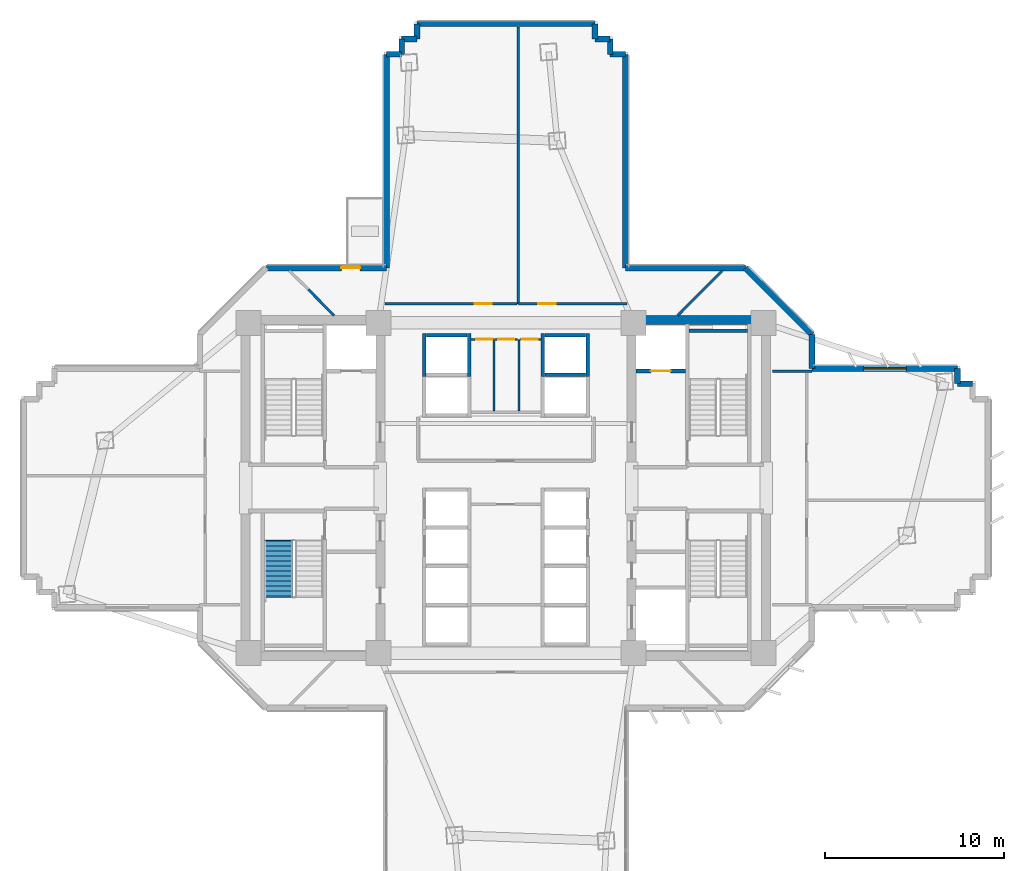
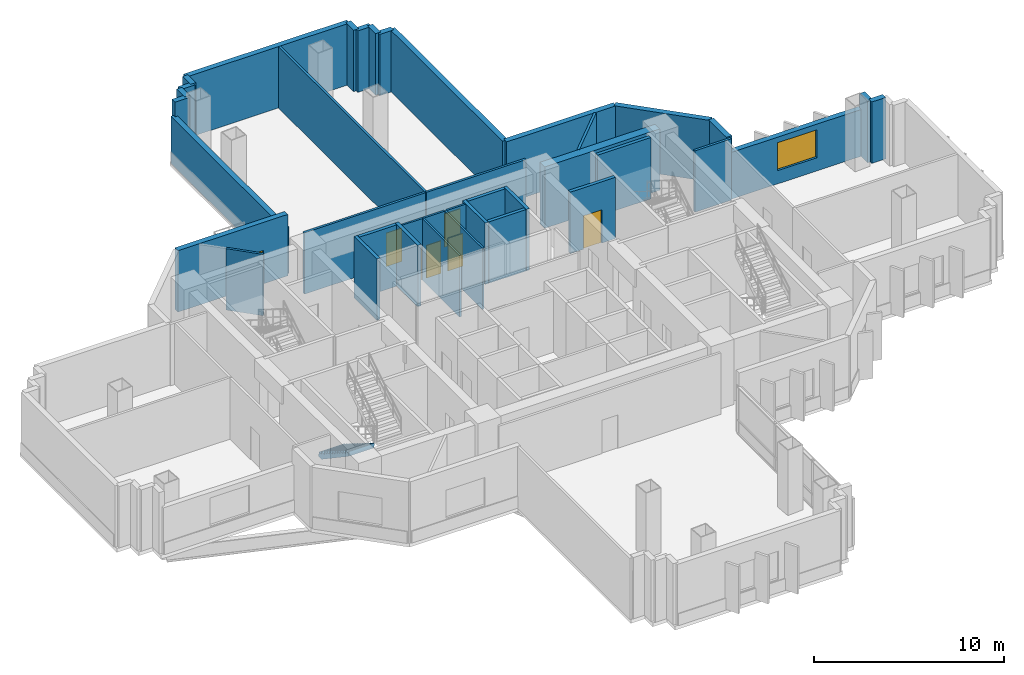
# One storey, part 8 of 14: 39 walls, 7 doors, 1 stair flight, 1 window, 8 openings, 1 element without a shape of its own.
"""IFC4 building model written with IfcOpenShell, lengths in metres."""

from ifc_helpers import new_model, si_unit, direction, frame, frame_2d, origin, place, context, subcontext, project, spatial, polyline, rectangle, outline, extrude, source, transform, mapped, material, layer, layer_set, type_object, element, fill, aggregate, save


model = new_model("IFC4")

# Units and contexts
model_context = context("Model", 3, precision=1e-05, world=origin(), true_north=direction((0.0, 1.0)))
body_context = subcontext(model_context, "Body", "Model", "MODEL_VIEW")
ifc_project = project(units=[si_unit("LENGTHUNIT", "METRE"), si_unit("AREAUNIT", "SQUARE_METRE"), si_unit("VOLUMEUNIT", "CUBIC_METRE"), si_unit("PLANEANGLEUNIT", "RADIAN"), si_unit("MASSUNIT", "GRAM", prefix="KILO")], contexts=[model_context])

# Site, building, storey
site_placement = place(None, origin())
site = spatial("IfcSite", under=ifc_project, at=site_placement, CompositionType="ELEMENT")
building_placement = place(site_placement, origin())
building = spatial("IfcBuilding", under=site, at=building_placement, Name="Zahravan Cultural Tower", CompositionType="ELEMENT")
storey_placement = place(building_placement, frame((0.0, 0.0, 33.300048828125)))
storey = spatial("IfcBuildingStorey", under=building, at=storey_placement, Name="L06", CompositionType="ELEMENT", Elevation=33.300048828125)

# Wall, opening, window
ifc_material_1 = material(Name="Precast concrete C40/50", Category="concrete")
ifc_layer_1 = layer(ifc_material_1, 0.320068359375)
ifc_layer_set_1 = layer_set([ifc_layer_1], Name="Precast concrete C40/50")
wall_type_1 = type_object("IfcWallType", Name="EW-TC-320", PredefinedType="SOLIDWALL", material=ifc_layer_set_1)
wall_1_placement = place(storey_placement, frame((53.06005859375, 33.659912109375, 0.0), z_axis=(0.0, 0.0, 1.0), x_axis=(1.0, 0.0, 0.0)))
wall_1 = element("IfcWall", 1, at=wall_1_placement, inside=storey, type_object=wall_type_1, Name="L06 Exterior Masonry Frame Wall 01", PredefinedType="SOLIDWALL", context=body_context, shape_type="SweptSolid", body=[
    extrude(rectangle(XDim=8.099853515625, YDim=0.320068359375, at=frame_2d((4.0498046875, 0.0))), origin(), (0.0, 0.0, 1.0), 3.010009765625),
])
opening_1_placement = place(wall_1_placement, frame((2.85009765625, 0.0, 0.85009765625)))
opening_1 = element("IfcOpeningElement", 2, at=opening_1_placement, cuts=wall_1, Name="Opening WN-01", PredefinedType="OPENING", context=body_context, shape_type="SweptSolid", body=[
    extrude(rectangle(XDim=2.39990234375, YDim=1.800048828125, at=frame_2d((1.199951171875, 0.89990234375))), frame((0.0, 0.169921875, 0.0), z_axis=(0.0, -1.0, 0.0), x_axis=(1.0, 0.0, 0.0)), (0.0, 0.0, 1.0), 0.340087890625),
])
ifc_material_2 = material(Name="Low-E solar-control double glazing", Category="glass")
window_type = type_object("IfcWindowType", Name="WN-REC-2400X1800", PartitioningType="DOUBLE_PANEL_VERTICAL", PredefinedType="WINDOW", material=ifc_material_2)
shared_shape_1 = source(origin(), body_context, "Body", "SweptSolid", [
    extrude(rectangle(XDim=2.39990234375, YDim=1.800048828125, at=frame_2d((1.199951171875, 0.89990234375))), frame((0.0, 0.030029296875, 0.0), z_axis=(0.0, -1.0, 0.0), x_axis=(1.0, 0.0, 0.0)), (0.0, 0.0, 1.0), 0.06005859375),
])
window_placement = place(opening_1_placement, origin())
window = element("IfcWindow", 3, at=window_placement, inside=storey, type_object=window_type, Name="L06 Recessed Solar Window 01", OverallHeight=1.800048828125, OverallWidth=2.39990234375, PartitioningType="DOUBLE_PANEL_VERTICAL", PredefinedType="WINDOW", context=body_context, shape_type="MappedRepresentation", body=[
    mapped(shared_shape_1, transform((0.0, 0.0, 0.0), x_axis=(1.0, 0.0, 0.0), y_axis=(0.0, 1.0, 0.0), z_axis=(0.0, 0.0, 1.0), scale=1.0)),
])
fill(opening_1, window)

# Wall, opening, door
wall_2_placement = place(storey_placement, frame((22.657958984375, 39.260009765625, 0.0), z_axis=(0.0, 0.0, 1.0), x_axis=(1.0, 0.0, 0.0)))
wall_2 = element("IfcWall", 4, at=wall_2_placement, inside=storey, type_object=wall_type_1, Name="L06 Exterior Masonry Frame Wall 40", PredefinedType="SOLIDWALL", context=body_context, shape_type="SweptSolid", body=[
    extrude(rectangle(XDim=6.68212890625, YDim=0.320068359375, at=frame_2d((3.341064453125, 0.0))), origin(), (0.0, 0.0, 1.0), 3.949951171875),
])
opening_2_placement = place(wall_2_placement, frame((4.16796875, 0.0, 0.0)))
opening_2 = element("IfcOpeningElement", 5, at=opening_2_placement, cuts=wall_2, Name="Opening D-L06-TR-NW", PredefinedType="OPENING", context=body_context, shape_type="SweptSolid", body=[
    extrude(rectangle(XDim=1.050048828125, YDim=2.14990234375, at=frame_2d((0.52490234375, 1.074951171875))), frame((0.0, 0.169921875, 0.0), z_axis=(0.0, -1.0, 0.0), x_axis=(1.0, 0.0, 0.0)), (0.0, 0.0, 1.0), 0.340087890625),
])
ifc_material_3 = material(Name="Anodised bronze-aluminium mullion", Category="aluminium")
door_type_1 = type_object("IfcDoorType", Name="DR-TERR-1050", OperationType="NOTDEFINED", PredefinedType="DOOR", material=ifc_material_3)
shared_shape_2 = source(origin(), body_context, "Body", "SweptSolid", [
    extrude(rectangle(XDim=1.050048828125, YDim=2.14990234375, at=frame_2d((0.52490234375, 1.074951171875))), frame((0.0, 0.02490234375, 0.0), z_axis=(0.0, -1.0, 0.0), x_axis=(1.0, 0.0, 0.0)), (0.0, 0.0, 1.0), 0.050048828125),
])
door_1_placement = place(opening_2_placement, origin())
door_1 = element("IfcDoor", 6, at=door_1_placement, inside=storey, type_object=door_type_1, Name="L06 Terrace Access Door NW", OperationType="SINGLE_SWING_LEFT", OverallHeight=2.14990234375, OverallWidth=1.050048828125, PredefinedType="DOOR", context=body_context, shape_type="MappedRepresentation", body=[
    mapped(shared_shape_2, transform((0.0, 0.0, 0.0), x_axis=(1.0, 0.0, 0.0), y_axis=(0.0, 1.0, 0.0), z_axis=(0.0, 0.0, 1.0), scale=1.0)),
])
fill(opening_2, door_1)

ifc_material_4 = material(Name="Gypsum plasterboard partition")
ifc_layer_2 = layer(ifc_material_4, 0.139892578125)
ifc_layer_set_2 = layer_set([ifc_layer_2], Name="Gypsum plasterboard partition")
wall_type_2 = type_object("IfcWallType", Name="W-PART-140", PredefinedType="PARTITIONING", material=ifc_layer_set_2)
wall_3_placement = place(storey_placement, frame((42.742431640625, 37.259765625, 0.0), z_axis=(0.0, 0.0, 1.0), x_axis=(-0.999999999186, 4.0337219e-05, 0.0)))
wall_3 = element("IfcWall", 7, at=wall_3_placement, inside=storey, type_object=wall_type_2, Name="L06 Interior Wall 094", PredefinedType="PARTITIONING", context=body_context, shape_type="SweptSolid", body=[
    extrude(rectangle(XDim=6.052490234375, YDim=0.139892578125, at=frame_2d((3.0263671875, 0.0))), origin(), (0.0, 0.0, 1.0), 3.949951171875),
])
opening_3_placement = place(wall_3_placement, frame((3.97998046875, 0.0, 0.0)))
opening_3 = element("IfcOpeningElement", 8, at=opening_3_placement, cuts=wall_3, Name="Opening D-L06-18", PredefinedType="OPENING", context=body_context, shape_type="SweptSolid", body=[
    extrude(rectangle(XDim=0.949951171875, YDim=2.14990234375, at=frame_2d((0.47509765625, 1.074951171875))), frame((0.0, 0.079833984375, 0.0), z_axis=(0.0, -1.0, 0.0), x_axis=(1.0, 0.0, 0.0)), (0.0, 0.0, 1.0), 0.159912109375),
])
door_type_2 = type_object("IfcDoorType", Name="DR-ROOM-950", OperationType="NOTDEFINED", PredefinedType="DOOR", material=ifc_material_3)
shared_shape_3 = source(origin(), body_context, "Body", "SweptSolid", [
    extrude(rectangle(XDim=0.949951171875, YDim=2.14990234375, at=frame_2d((0.47509765625, 1.074951171875))), frame((0.0, 0.02490234375, 0.0), z_axis=(0.0, -1.0, 0.0), x_axis=(1.0, 0.0, 0.0)), (0.0, 0.0, 1.0), 0.050048828125),
])
door_2_placement = place(opening_3_placement, origin())
door_2 = element("IfcDoor", 9, at=door_2_placement, inside=storey, type_object=door_type_2, Name="L06 Door D-L06-18", OperationType="SINGLE_SWING_LEFT", OverallHeight=2.14990234375, OverallWidth=0.949951171875, PredefinedType="DOOR", context=body_context, shape_type="MappedRepresentation", body=[
    mapped(shared_shape_3, transform((0.0, 0.0, 0.0), x_axis=(1.0, 0.0, 0.0), y_axis=(0.0, 1.0, 0.0), z_axis=(0.0, 0.0, 1.0), scale=1.0)),
])
fill(opening_3, door_2)

wall_4_placement = place(storey_placement, frame((36.614990234375, 37.260009765625, 0.0), z_axis=(0.0, 0.0, 1.0), x_axis=(-0.999999999449, -3.3182904e-05, 0.0)))
wall_4 = element("IfcWall", 10, at=wall_4_placement, inside=storey, type_object=wall_type_2, Name="L06 Interior Wall 096", PredefinedType="PARTITIONING", context=body_context, shape_type="SweptSolid", body=[
    extrude(rectangle(XDim=7.357421875, YDim=0.139892578125, at=frame_2d((3.6787109375, 0.0))), origin(), (0.0, 0.0, 1.0), 3.949951171875),
])
opening_4_placement = place(wall_4_placement, frame((1.40966796875, 0.0, 0.0)))
opening_4 = element("IfcOpeningElement", 11, at=opening_4_placement, cuts=wall_4, Name="Opening D-L06-19", PredefinedType="OPENING", context=body_context, shape_type="SweptSolid", body=[
    extrude(rectangle(XDim=0.949951171875, YDim=2.14990234375, at=frame_2d((0.47509765625, 1.074951171875))), frame((0.0, 0.079833984375, 0.0), z_axis=(0.0, -1.0, 0.0), x_axis=(1.0, 0.0, 0.0)), (0.0, 0.0, 1.0), 0.159912109375),
])
door_3_placement = place(opening_4_placement, origin())
door_3 = element("IfcDoor", 12, at=door_3_placement, inside=storey, type_object=door_type_2, Name="L06 Door D-L06-19", OperationType="SINGLE_SWING_RIGHT", OverallHeight=2.14990234375, OverallWidth=0.949951171875, PredefinedType="DOOR", context=body_context, shape_type="MappedRepresentation", body=[
    mapped(shared_shape_3, transform((0.0, 0.0, 0.0), x_axis=(1.0, 0.0, 0.0), y_axis=(0.0, 1.0, 0.0), z_axis=(0.0, 0.0, 1.0), scale=1.0)),
])
fill(opening_4, door_3)

ifc_material_5 = material(Name="Concrete C45/55", Category="concrete")
ifc_layer_3 = layer(ifc_material_5, 0.199951171875)
ifc_layer_set_3 = layer_set([ifc_layer_3], Name="Concrete C45/55")
wall_type_3 = type_object("IfcWallType", Name="W-SHAFT-200", PredefinedType="SOLIDWALL", material=ifc_layer_set_3)
wall_5_placement = place(storey_placement, frame((43.25, 33.52001953125, 0.0), z_axis=(0.0, 0.0, 1.0), x_axis=(1.0, 0.0, 0.0)))
wall_5 = element("IfcWall", 13, at=wall_5_placement, inside=storey, type_object=wall_type_3, Name="L06 Interior Wall 022", PredefinedType="SOLIDWALL", context=body_context, shape_type="SweptSolid", body=[
    extrude(rectangle(XDim=2.75, YDim=0.199951171875, at=frame_2d((1.375, 0.0))), origin(), (0.0, 0.0, 1.0), 3.949951171875),
])
opening_5_placement = place(wall_5_placement, frame((0.820068359375, 0.0, 0.0)))
opening_5 = element("IfcOpeningElement", 14, at=opening_5_placement, cuts=wall_5, Name="Opening LD-L06-02", PredefinedType="OPENING", context=body_context, shape_type="SweptSolid", body=[
    extrude(rectangle(XDim=1.10009765625, YDim=2.14990234375, at=frame_2d((0.550048828125, 1.074951171875))), frame((0.0, 0.10986328125, 0.0), z_axis=(0.0, -1.0, 0.0), x_axis=(1.0, 0.0, 0.0)), (0.0, 0.0, 1.0), 0.219970703125),
])
ifc_material_6 = material(Name="Steel ASTM A572 Grade 50", Category="steel")
door_type_3 = type_object("IfcDoorType", Name="DR-LIFT-1100", OperationType="DOUBLE_DOOR_SLIDING", PredefinedType="DOOR", material=ifc_material_6)
shared_shape_4 = source(origin(), body_context, "Body", "SweptSolid", [
    extrude(rectangle(XDim=1.10009765625, YDim=2.14990234375, at=frame_2d((0.550048828125, 1.074951171875))), frame((0.0, 0.02490234375, 0.0), z_axis=(0.0, -1.0, 0.0), x_axis=(1.0, 0.0, 0.0)), (0.0, 0.0, 1.0), 0.050048828125),
])
door_4_placement = place(opening_5_placement, origin())
door_4 = element("IfcDoor", 15, at=door_4_placement, inside=storey, type_object=door_type_3, Name="L06 Door LD-L06-02", OperationType="DOUBLE_DOOR_SLIDING", OverallHeight=2.14990234375, OverallWidth=1.10009765625, PredefinedType="DOOR", context=body_context, shape_type="MappedRepresentation", body=[
    mapped(shared_shape_4, transform((0.0, 0.0, 0.0), x_axis=(1.0, 0.0, 0.0), y_axis=(0.0, 1.0, 0.0), z_axis=(0.0, 0.0, 1.0), scale=1.0)),
])
fill(opening_5, door_4)

ifc_layer_4 = layer(ifc_material_4, 0.114990234375)
ifc_layer_set_4 = layer_set([ifc_layer_4], Name="Gypsum plasterboard partition")
wall_type_4 = type_object("IfcWallType", Name="W-WC-115", PredefinedType="PARTITIONING", material=ifc_layer_set_4)
wall_6_placement = place(storey_placement, frame((36.782470703125, 35.280029296875, 0.0), z_axis=(0.0, 0.0, 1.0), x_axis=(1.0, 0.0, 0.0)))
wall_6 = element("IfcWall", 16, at=wall_6_placement, inside=storey, type_object=wall_type_4, Name="L06 Interior Wall 068", PredefinedType="PARTITIONING", context=body_context, shape_type="SweptSolid", body=[
    extrude(rectangle(XDim=1.16259765625, YDim=0.114990234375, at=frame_2d((0.581298828125, 0.0))), origin(), (0.0, 0.0, 1.0), 3.949951171875),
])
opening_6_placement = place(wall_6_placement, frame((0.0888671875, 0.0, 0.0)))
opening_6 = element("IfcOpeningElement", 17, at=opening_6_placement, cuts=wall_6, Name="Opening D-L06-13", PredefinedType="OPENING", context=body_context, shape_type="SweptSolid", body=[
    extrude(rectangle(XDim=0.89990234375, YDim=2.10009765625, at=frame_2d((0.449951171875, 1.050048828125))), frame((0.0, 0.0673828125, 0.0), z_axis=(0.0, -1.0, 0.0), x_axis=(1.0, 0.0, 0.0)), (0.0, 0.0, 1.0), 0.135009765625),
])
door_type_4 = type_object("IfcDoorType", Name="DR-WC-900", OperationType="NOTDEFINED", PredefinedType="DOOR", material=ifc_material_3)
shared_shape_5 = source(origin(), body_context, "Body", "SweptSolid", [
    extrude(rectangle(XDim=0.89990234375, YDim=2.10009765625, at=frame_2d((0.449951171875, 1.050048828125))), frame((0.0, 0.02490234375, 0.0), z_axis=(0.0, -1.0, 0.0), x_axis=(1.0, 0.0, 0.0)), (0.0, 0.0, 1.0), 0.050048828125),
])
door_5_placement = place(opening_6_placement, origin())
door_5 = element("IfcDoor", 18, at=door_5_placement, inside=storey, type_object=door_type_4, Name="L06 Door D-L06-13", OperationType="SINGLE_SWING_RIGHT", OverallHeight=2.10009765625, OverallWidth=0.89990234375, PredefinedType="DOOR", context=body_context, shape_type="MappedRepresentation", body=[
    mapped(shared_shape_5, transform((0.0, 0.0, 0.0), x_axis=(1.0, 0.0, 0.0), y_axis=(0.0, 1.0, 0.0), z_axis=(0.0, 0.0, 1.0), scale=1.0)),
])
fill(opening_6, door_5)

wall_7_placement = place(storey_placement, frame((34.054931640625, 35.280029296875, 0.0), z_axis=(0.0, 0.0, 1.0), x_axis=(1.0, 0.0, 0.0)))
wall_7 = element("IfcWall", 19, at=wall_7_placement, inside=storey, type_object=wall_type_4, Name="L06 Interior Wall 070", PredefinedType="PARTITIONING", context=body_context, shape_type="SweptSolid", body=[
    extrude(rectangle(XDim=1.28515625, YDim=0.114990234375, at=frame_2d((0.642578125, 0.0))), origin(), (0.0, 0.0, 1.0), 3.949951171875),
])
opening_7_placement = place(wall_7_placement, frame((0.30029296875, 0.0, 0.0)))
opening_7 = element("IfcOpeningElement", 20, at=opening_7_placement, cuts=wall_7, Name="Opening D-L06-11", PredefinedType="OPENING", context=body_context, shape_type="SweptSolid", body=[
    extrude(rectangle(XDim=0.89990234375, YDim=2.10009765625, at=frame_2d((0.449951171875, 1.050048828125))), frame((0.0, 0.0673828125, 0.0), z_axis=(0.0, -1.0, 0.0), x_axis=(1.0, 0.0, 0.0)), (0.0, 0.0, 1.0), 0.135009765625),
])
door_6_placement = place(opening_7_placement, origin())
door_6 = element("IfcDoor", 21, at=door_6_placement, inside=storey, type_object=door_type_4, Name="L06 Door D-L06-11", OperationType="SINGLE_SWING_RIGHT", OverallHeight=2.10009765625, OverallWidth=0.89990234375, PredefinedType="DOOR", context=body_context, shape_type="MappedRepresentation", body=[
    mapped(shared_shape_5, transform((0.0, 0.0, 0.0), x_axis=(1.0, 0.0, 0.0), y_axis=(0.0, 1.0, 0.0), z_axis=(0.0, 0.0, 1.0), scale=1.0)),
])
fill(opening_7, door_6)

wall_8_placement = place(storey_placement, frame((35.360107421875, 35.280029296875, 0.0), z_axis=(0.0, 0.0, 1.0), x_axis=(1.0, 0.0, 0.0)))
wall_8 = element("IfcWall", 22, at=wall_8_placement, inside=storey, type_object=wall_type_4, Name="L06 Interior Wall 073", PredefinedType="PARTITIONING", context=body_context, shape_type="SweptSolid", body=[
    extrude(rectangle(XDim=1.29736328125, YDim=0.114990234375, at=frame_2d((0.648681640625, 0.0))), origin(), (0.0, 0.0, 1.0), 3.949951171875),
])
opening_8_placement = place(wall_8_placement, frame((0.19873046875, 0.0, 0.0)))
opening_8 = element("IfcOpeningElement", 23, at=opening_8_placement, cuts=wall_8, Name="Opening D-L06-12", PredefinedType="OPENING", context=body_context, shape_type="SweptSolid", body=[
    extrude(rectangle(XDim=0.89990234375, YDim=2.10009765625, at=frame_2d((0.449951171875, 1.050048828125))), frame((0.0, 0.0673828125, 0.0), z_axis=(0.0, -1.0, 0.0), x_axis=(1.0, 0.0, 0.0)), (0.0, 0.0, 1.0), 0.135009765625),
])
door_7_placement = place(opening_8_placement, origin())
door_7 = element("IfcDoor", 24, at=door_7_placement, inside=storey, type_object=door_type_4, Name="L06 Door D-L06-12", OperationType="SINGLE_SWING_LEFT", OverallHeight=2.10009765625, OverallWidth=0.89990234375, PredefinedType="DOOR", context=body_context, shape_type="MappedRepresentation", body=[
    mapped(shared_shape_5, transform((0.0, 0.0, 0.0), x_axis=(1.0, 0.0, 0.0), y_axis=(0.0, 1.0, 0.0), z_axis=(0.0, 0.0, 1.0), scale=1.0)),
])
fill(opening_8, door_7)

# Walls
ifc_material_7 = material(Name="Concrete C60/75", Category="concrete")
ifc_layer_5 = layer(ifc_material_7, 0.5)
ifc_layer_set_5 = layer_set([ifc_layer_5], Name="Concrete C60/75")
wall_type_5 = type_object("IfcWallType", Name="CW-SHEAR-500-C60", PredefinedType="SHEAR", material=ifc_layer_set_5)
shared_shape_6 = source(origin(), body_context, "Body", "SweptSolid", [
    extrude(rectangle(XDim=7.0, YDim=0.5, at=frame_2d((3.5, 0.0))), origin(), (0.0, 0.0, 1.0), 3.949951171875),
])
wall_9_placement = place(storey_placement, frame((43.25, 36.35009765625, 0.0), z_axis=(0.0, 0.0, 1.0), x_axis=(1.0, 0.0, 0.0)))
element("IfcWall", 25, at=wall_9_placement, inside=storey, type_object=wall_type_5, Name="L06 Core Shear Wall CW-E-N-L06", PredefinedType="SHEAR", context=body_context, shape_type="MappedRepresentation", body=[
    mapped(shared_shape_6, transform((0.0, 0.0, 0.0), x_axis=(1.0, 0.0, 0.0), y_axis=(0.0, 1.0, 0.0), z_axis=(0.0, 0.0, 1.0), scale=1.0)),
])
shared_shape_7 = source(origin(), body_context, "Body", "SweptSolid", [
    extrude(rectangle(XDim=0.849853515625, YDim=0.320068359375, at=frame_2d((0.4248046875, 0.0))), origin(), (0.0, 0.0, 1.0), 3.949951171875),
])
for number, where, z_axis, x_axis, name in (
    (26, (61.159912109375, 33.659912109375, 0.0), (0.0, 0.0, 1.0), (0.0, -1.0, 0.0), "L06 Exterior Masonry Frame Wall 02"),
    (27, (29.340087890625, 51.159912109375, 0.0), (0.0, 0.0, 1.0), (1.0, 0.0, 0.0), "L06 Exterior Masonry Frame Wall 42"),
    (28, (41.81005859375, 51.159912109375, 0.0), (0.0, 0.0, 1.0), (1.0, 0.0, 0.0), "L06 Exterior Masonry Frame Wall 50"),
):
    element("IfcWall", number, at=place(storey_placement, frame(where, z_axis=z_axis, x_axis=x_axis)), inside=storey, type_object=wall_type_1, Name=name, PredefinedType="SOLIDWALL", context=body_context, shape_type="MappedRepresentation", body=[
        mapped(shared_shape_7, transform((0.0, 0.0, 0.0), x_axis=(1.0, 0.0, 0.0), y_axis=(0.0, 1.0, 0.0), z_axis=(0.0, 0.0, 1.0), scale=1.0)),
    ])
shared_shape_8 = source(origin(), body_context, "Body", "SweptSolid", [
    extrude(rectangle(XDim=0.85009765625, YDim=0.320068359375, at=frame_2d((0.425048828125, 0.0))), origin(), (0.0, 0.0, 1.0), 3.949951171875),
])
for number, where, z_axis, x_axis, name in (
    (29, (61.159912109375, 32.81005859375, 0.0), (0.0, 0.0, 1.0), (1.0, 0.0, 0.0), "L06 Exterior Masonry Frame Wall 03"),
    (30, (30.18994140625, 51.159912109375, 0.0), (0.0, 0.0, 1.0), (0.0, 1.0, 0.0), "L06 Exterior Masonry Frame Wall 43"),
    (31, (30.18994140625, 52.010009765625, 0.0), (0.0, 0.0, 1.0), (1.0, 0.0, 0.0), "L06 Exterior Masonry Frame Wall 44"),
    (32, (31.0400390625, 52.010009765625, 0.0), (0.0, 0.0, 1.0), (0.0, 1.0, 0.0), "L06 Exterior Masonry Frame Wall 45"),
    (33, (40.9599609375, 52.860107421875, 0.0), (0.0, 0.0, 1.0), (0.0, -1.0, 0.0), "L06 Exterior Masonry Frame Wall 47"),
    (34, (40.9599609375, 52.010009765625, 0.0), (0.0, 0.0, 1.0), (1.0, 0.0, 0.0), "L06 Exterior Masonry Frame Wall 48"),
    (35, (41.81005859375, 52.010009765625, 0.0), (0.0, 0.0, 1.0), (0.0, -1.0, 0.0), "L06 Exterior Masonry Frame Wall 49"),
):
    element("IfcWall", number, at=place(storey_placement, frame(where, z_axis=z_axis, x_axis=x_axis)), inside=storey, type_object=wall_type_1, Name=name, PredefinedType="SOLIDWALL", context=body_context, shape_type="MappedRepresentation", body=[
        mapped(shared_shape_8, transform((0.0, 0.0, 0.0), x_axis=(1.0, 0.0, 0.0), y_axis=(0.0, 1.0, 0.0), z_axis=(0.0, 0.0, 1.0), scale=1.0)),
    ])
shared_shape_9 = source(origin(), body_context, "Body", "SweptSolid", [
    extrude(rectangle(XDim=9.919921875, YDim=0.320068359375, at=frame_2d((4.9599609375, 0.0))), origin(), (0.0, 0.0, 1.0), 3.949951171875),
])
wall_10_placement = place(storey_placement, frame((31.0400390625, 52.860107421875, 0.0), z_axis=(0.0, 0.0, 1.0), x_axis=(1.0, 0.0, 0.0)))
element("IfcWall", 36, at=wall_10_placement, inside=storey, type_object=wall_type_1, Name="L06 Exterior Masonry Frame Wall 46", PredefinedType="SOLIDWALL", context=body_context, shape_type="MappedRepresentation", body=[
    mapped(shared_shape_9, transform((0.0, 0.0, 0.0), x_axis=(1.0, 0.0, 0.0), y_axis=(0.0, 1.0, 0.0), z_axis=(0.0, 0.0, 1.0), scale=1.0)),
])
shared_shape_10 = source(origin(), body_context, "Body", "SweptSolid", [
    extrude(rectangle(XDim=1.882080078125, YDim=0.320068359375, at=frame_2d((0.94091796875, 0.0))), origin(), (0.0, 0.0, 1.0), 3.949951171875),
])
wall_11_placement = place(storey_placement, frame((53.06005859375, 35.5419921875, 0.0), z_axis=(0.0, 0.0, 1.0), x_axis=(0.0, -1.0, 0.0)))
element("IfcWall", 37, at=wall_11_placement, inside=storey, type_object=wall_type_1, Name="L06 Exterior Masonry Frame Wall 54", PredefinedType="SOLIDWALL", context=body_context, shape_type="MappedRepresentation", body=[
    mapped(shared_shape_10, transform((0.0, 0.0, 0.0), x_axis=(1.0, 0.0, 0.0), y_axis=(0.0, 1.0, 0.0), z_axis=(0.0, 0.0, 1.0), scale=1.0)),
])
shared_shape_11 = source(origin(), body_context, "Body", "SweptSolid", [
    extrude(rectangle(XDim=5.258056640625, YDim=0.320068359375, at=frame_2d((2.62890625, 0.0))), origin(), (0.0, 0.0, 1.0), 3.949951171875),
])
wall_12_placement = place(storey_placement, frame((49.342041015625, 39.260009765625, 0.0), z_axis=(0.0, 0.0, 1.0), x_axis=(0.707106781187, -0.707106781187, 0.0)))
element("IfcWall", 38, at=wall_12_placement, inside=storey, type_object=wall_type_1, Name="L06 Exterior Masonry Frame Wall 53", PredefinedType="SOLIDWALL", context=body_context, shape_type="MappedRepresentation", body=[
    mapped(shared_shape_11, transform((0.0, 0.0, 0.0), x_axis=(1.0, 0.0, 0.0), y_axis=(0.0, 1.0, 0.0), z_axis=(0.0, 0.0, 1.0), scale=1.0)),
])
shared_shape_12 = source(origin(), body_context, "Body", "SweptSolid", [
    extrude(rectangle(XDim=6.68212890625, YDim=0.320068359375, at=frame_2d((3.341064453125, 0.0))), origin(), (0.0, 0.0, 1.0), 3.949951171875),
])
wall_13_placement = place(storey_placement, frame((42.659912109375, 39.260009765625, 0.0), z_axis=(0.0, 0.0, 1.0), x_axis=(1.0, 0.0, 0.0)))
element("IfcWall", 39, at=wall_13_placement, inside=storey, type_object=wall_type_1, Name="L06 Exterior Masonry Frame Wall 52", PredefinedType="SOLIDWALL", context=body_context, shape_type="MappedRepresentation", body=[
    mapped(shared_shape_12, transform((0.0, 0.0, 0.0), x_axis=(1.0, 0.0, 0.0), y_axis=(0.0, 1.0, 0.0), z_axis=(0.0, 0.0, 1.0), scale=1.0)),
])
shared_shape_13 = source(origin(), body_context, "Body", "SweptSolid", [
    extrude(rectangle(XDim=11.89990234375, YDim=0.320068359375, at=frame_2d((5.949951171875, 0.0))), origin(), (0.0, 0.0, 1.0), 3.010009765625),
])
wall_14_placement = place(storey_placement, frame((29.340087890625, 39.260009765625, 0.0), z_axis=(0.0, 0.0, 1.0), x_axis=(0.0, 1.0, 0.0)))
element("IfcWall", 40, at=wall_14_placement, inside=storey, type_object=wall_type_1, Name="L06 Exterior Masonry Frame Wall 41", PredefinedType="SOLIDWALL", context=body_context, shape_type="MappedRepresentation", body=[
    mapped(shared_shape_13, transform((0.0, 0.0, 0.0), x_axis=(1.0, 0.0, 0.0), y_axis=(0.0, 1.0, 0.0), z_axis=(0.0, 0.0, 1.0), scale=1.0)),
])
shared_shape_14 = source(origin(), body_context, "Body", "SweptSolid", [
    extrude(rectangle(XDim=11.89990234375, YDim=0.320068359375, at=frame_2d((5.949951171875, 0.0))), origin(), (0.0, 0.0, 1.0), 3.949951171875),
])
wall_15_placement = place(storey_placement, frame((42.659912109375, 51.159912109375, 0.0), z_axis=(0.0, 0.0, 1.0), x_axis=(0.0, -1.0, 0.0)))
element("IfcWall", 41, at=wall_15_placement, inside=storey, type_object=wall_type_1, Name="L06 Exterior Masonry Frame Wall 51", PredefinedType="SOLIDWALL", context=body_context, shape_type="MappedRepresentation", body=[
    mapped(shared_shape_14, transform((0.0, 0.0, 0.0), x_axis=(1.0, 0.0, 0.0), y_axis=(0.0, 1.0, 0.0), z_axis=(0.0, 0.0, 1.0), scale=1.0)),
])
shared_shape_15 = source(origin(), body_context, "Body", "SweptSolid", [
    extrude(rectangle(XDim=3.25, YDim=0.199951171875, at=frame_2d((1.625, 0.0))), origin(), (0.0, 0.0, 1.0), 3.949951171875),
])
wall_16_placement = place(storey_placement, frame((46.199951171875, 35.75, 0.0), z_axis=(0.0, 0.0, 1.0), x_axis=(1.0, 0.0, 0.0)))
element("IfcWall", 42, at=wall_16_placement, inside=storey, type_object=wall_type_3, Name="L06 Interior Wall 018", PredefinedType="SOLIDWALL", context=body_context, shape_type="MappedRepresentation", body=[
    mapped(shared_shape_15, transform((0.0, 0.0, 0.0), x_axis=(1.0, 0.0, 0.0), y_axis=(0.0, 1.0, 0.0), z_axis=(0.0, 0.0, 1.0), scale=1.0)),
])
shared_shape_16 = source(origin(), body_context, "Body", "SweptSolid", [
    extrude(rectangle(XDim=2.400146484375, YDim=0.199951171875, at=frame_2d((1.2001953125, 0.0))), origin(), (0.0, 0.0, 1.0), 3.949951171875),
])
for number, where, z_axis, x_axis, name in (
    (43, (31.449951171875, 33.199951171875, 0.0), (0.0, 0.0, 1.0), (0.0, 1.0, 0.0), "L06 Interior Wall 026"),
    (44, (33.949951171875, 33.199951171875, 0.0), (0.0, 0.0, 1.0), (0.0, 1.0, 0.0), "L06 Interior Wall 027"),
    (45, (38.050048828125, 33.199951171875, 0.0), (0.0, 0.0, 1.0), (0.0, 1.0, 0.0), "L06 Interior Wall 033"),
    (46, (40.550048828125, 33.199951171875, 0.0), (0.0, 0.0, 1.0), (0.0, 1.0, 0.0), "L06 Interior Wall 034"),
):
    element("IfcWall", number, at=place(storey_placement, frame(where, z_axis=z_axis, x_axis=x_axis)), inside=storey, type_object=wall_type_3, Name=name, PredefinedType="SOLIDWALL", context=body_context, shape_type="MappedRepresentation", body=[
        mapped(shared_shape_16, transform((0.0, 0.0, 0.0), x_axis=(1.0, 0.0, 0.0), y_axis=(0.0, 1.0, 0.0), z_axis=(0.0, 0.0, 1.0), scale=1.0)),
    ])
shared_shape_17 = source(origin(), body_context, "Body", "SweptSolid", [
    extrude(rectangle(XDim=2.260009765625, YDim=0.199951171875, at=frame_2d((1.1298828125, 0.0))), origin(), (0.0, 0.0, 1.0), 3.949951171875),
])
for number, where, z_axis, x_axis, name in (
    (47, (31.570068359375, 35.5, 0.0), (0.0, 0.0, 1.0), (1.0, 0.0, 0.0), "L06 Interior Wall 029"),
    (48, (38.169921875, 33.300048828125, 0.0), (0.0, 0.0, 1.0), (1.0, 0.0, 0.0), "L06 Interior Wall 035"),
    (49, (38.169921875, 35.5, 0.0), (0.0, 0.0, 1.0), (1.0, 0.0, 0.0), "L06 Interior Wall 036"),
):
    element("IfcWall", number, at=place(storey_placement, frame(where, z_axis=z_axis, x_axis=x_axis)), inside=storey, type_object=wall_type_3, Name=name, PredefinedType="SOLIDWALL", context=body_context, shape_type="MappedRepresentation", body=[
        mapped(shared_shape_17, transform((0.0, 0.0, 0.0), x_axis=(1.0, 0.0, 0.0), y_axis=(0.0, 1.0, 0.0), z_axis=(0.0, 0.0, 1.0), scale=1.0)),
    ])
shared_shape_18 = source(origin(), body_context, "Body", "SweptSolid", [
    extrude(rectangle(XDim=3.99755859375, YDim=0.114990234375, at=frame_2d((1.998779296875, 0.0))), origin(), (0.0, 0.0, 1.0), 3.949951171875),
])
wall_17_placement = place(storey_placement, frame((36.719970703125, 31.282470703125, 0.0), z_axis=(0.0, 0.0, 1.0), x_axis=(0.0, 1.0, 0.0)))
element("IfcWall", 50, at=wall_17_placement, inside=storey, type_object=wall_type_4, Name="L06 Interior Wall 067", PredefinedType="PARTITIONING", context=body_context, shape_type="MappedRepresentation", body=[
    mapped(shared_shape_18, transform((0.0, 0.0, 0.0), x_axis=(1.0, 0.0, 0.0), y_axis=(0.0, 1.0, 0.0), z_axis=(0.0, 0.0, 1.0), scale=1.0)),
])
shared_shape_19 = source(origin(), body_context, "Body", "SweptSolid", [
    extrude(rectangle(XDim=3.93505859375, YDim=0.114990234375, at=frame_2d((1.967529296875, 0.0))), origin(), (0.0, 0.0, 1.0), 3.949951171875),
])
wall_18_placement = place(storey_placement, frame((35.340087890625, 35.217529296875, 0.0), z_axis=(0.0, 0.0, 1.0), x_axis=(0.0, -1.0, 0.0)))
element("IfcWall", 51, at=wall_18_placement, inside=storey, type_object=wall_type_4, Name="L06 Interior Wall 071", PredefinedType="PARTITIONING", context=body_context, shape_type="MappedRepresentation", body=[
    mapped(shared_shape_19, transform((0.0, 0.0, 0.0), x_axis=(1.0, 0.0, 0.0), y_axis=(0.0, 1.0, 0.0), z_axis=(0.0, 0.0, 1.0), scale=1.0)),
])
shared_shape_20 = source(origin(), body_context, "Body", "SweptSolid", [
    extrude(rectangle(XDim=2.04736328125, YDim=0.139892578125, at=frame_2d((1.023681640625, 0.0))), origin(), (0.0, 0.0, 1.0), 3.949951171875),
])
wall_19_placement = place(storey_placement, frame((24.989990234375, 38.059326171875, 0.0), z_axis=(0.0, 0.0, 1.0), x_axis=(0.703819772346, -0.710378580797, 0.0)))
element("IfcWall", 52, at=wall_19_placement, inside=storey, type_object=wall_type_2, Name="L06 Interior Wall 082", PredefinedType="PARTITIONING", context=body_context, shape_type="MappedRepresentation", body=[
    mapped(shared_shape_20, transform((0.0, 0.0, 0.0), x_axis=(1.0, 0.0, 0.0), y_axis=(0.0, 1.0, 0.0), z_axis=(0.0, 0.0, 1.0), scale=1.0)),
])
shared_shape_21 = source(origin(), body_context, "Body", "SweptSolid", [
    extrude(rectangle(XDim=2.21435546875, YDim=0.139892578125, at=frame_2d((1.107177734375, 0.0))), origin(), (0.0, 0.0, 1.0), 3.949951171875),
])
wall_20_placement = place(storey_placement, frame((53.06494140625, 33.49951171875, 0.0), z_axis=(0.0, 0.0, 1.0), x_axis=(-0.99999912478, -0.001323041841, 0.0)))
element("IfcWall", 53, at=wall_20_placement, inside=storey, type_object=wall_type_2, Name="L06 Interior Wall 088", PredefinedType="PARTITIONING", context=body_context, shape_type="MappedRepresentation", body=[
    mapped(shared_shape_21, transform((0.0, 0.0, 0.0), x_axis=(1.0, 0.0, 0.0), y_axis=(0.0, 1.0, 0.0), z_axis=(0.0, 0.0, 1.0), scale=1.0)),
])
shared_shape_22 = source(origin(), body_context, "Body", "SweptSolid", [
    extrude(rectangle(XDim=3.505126953125, YDim=0.139892578125, at=frame_2d((1.75244140625, 0.0))), origin(), (0.0, 0.0, 1.0), 3.949951171875),
])
wall_21_placement = place(storey_placement, frame((45.569091796875, 36.60498046875, 0.0), z_axis=(0.0, 0.0, 1.0), x_axis=(0.703790445361, 0.710407635811, 0.0)))
element("IfcWall", 54, at=wall_21_placement, inside=storey, type_object=wall_type_2, Name="L06 Interior Wall 089", PredefinedType="PARTITIONING", context=body_context, shape_type="MappedRepresentation", body=[
    mapped(shared_shape_22, transform((0.0, 0.0, 0.0), x_axis=(1.0, 0.0, 0.0), y_axis=(0.0, 1.0, 0.0), z_axis=(0.0, 0.0, 1.0), scale=1.0)),
])
shared_shape_23 = source(origin(), body_context, "Body", "SweptSolid", [
    extrude(rectangle(XDim=15.43505859375, YDim=0.139892578125, at=frame_2d((7.717529296875, 0.0))), origin(), (0.0, 0.0, 1.0), 3.949951171875),
])
wall_22_placement = place(storey_placement, frame((36.68994140625, 37.260009765625, 0.0), z_axis=(0.0, 0.0, 1.0), x_axis=(0.0, 1.0, 0.0)))
element("IfcWall", 55, at=wall_22_placement, inside=storey, type_object=wall_type_2, Name="L06 Interior Wall 095", PredefinedType="PARTITIONING", context=body_context, shape_type="MappedRepresentation", body=[
    mapped(shared_shape_23, transform((0.0, 0.0, 0.0), x_axis=(1.0, 0.0, 0.0), y_axis=(0.0, 1.0, 0.0), z_axis=(0.0, 0.0, 1.0), scale=1.0)),
])

# Stair, stair flight
stair_type = type_object("IfcStairType", Name="STR-DL-1550-420", PredefinedType="HALF_TURN_STAIR", material=ifc_material_5)
stair_placement = place(storey_placement, origin())
stair = element("IfcStair", 56, at=stair_placement, inside=storey, type_object=stair_type, Name="L06 West Core South Exit Stair ST-W2", PredefinedType="HALF_TURN_STAIR")
stair_flight_type = type_object("IfcStairFlightType", Name="FLG-DL-1550-420", PredefinedType="STRAIGHT", material=ifc_material_5)
stair_flight_placement = place(storey_placement, frame((23.324951171875, 24.050048828125, 0.0), z_axis=(0.0, 0.0, 1.0), x_axis=(0.0, -1.0, 0.0)))
stair_flight = element("IfcStairFlight", 57, at=stair_flight_placement, type_object=stair_flight_type, Name="ST-W2 flight 1", NumberOfRisers=12, NumberOfTreads=11, PredefinedType="STRAIGHT", RiserHeight=0.175, TreadLength=0.28, context=body_context, shape_type="SweptSolid", body=[
    extrude(outline(polyline([(-0.06494140625, -0.139892578125), (-0.06494140625, 0.0), (0.0, 0.0), (0.0, 0.175048828125), (0.280029296875, 0.175048828125), (0.280029296875, 0.35009765625), (0.56005859375, 0.35009765625), (0.56005859375, 0.52490234375), (0.840087890625, 0.52490234375), (0.840087890625, 0.699951171875), (1.1201171875, 0.699951171875), (1.1201171875, 0.875), (1.39990234375, 0.875), (1.39990234375, 1.050048828125), (1.679931640625, 1.050048828125), (1.679931640625, 1.22509765625), (1.9599609375, 1.22509765625), (1.9599609375, 1.39990234375), (2.239990234375, 1.39990234375), (2.239990234375, 1.574951171875), (2.52001953125, 1.574951171875), (2.52001953125, 1.75), (2.800048828125, 1.75), (2.800048828125, 1.925048828125), (3.080078125, 1.925048828125), (3.080078125, 2.10009765625), (3.14501953125, 2.10009765625), (3.14501953125, 1.9501953125), (3.080078125, 1.748291015625), (0.28271484375, -0.139892578125), (-0.06494140625, -0.139892578125)])), frame((0.0, 0.77490234375, 0.0), z_axis=(0.0, -1.0, 0.0), x_axis=(1.0, 0.0, 0.0)), (0.0, 0.0, 1.0), 1.550048828125),
])
aggregate(stair, [stair_flight])

save(model, "model.ifc")
